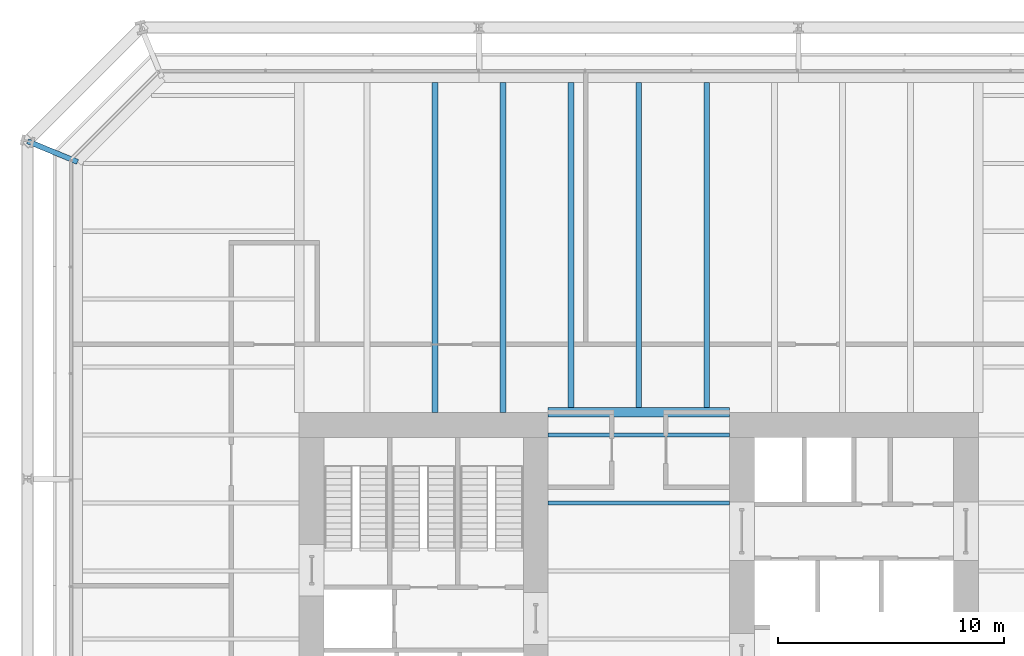
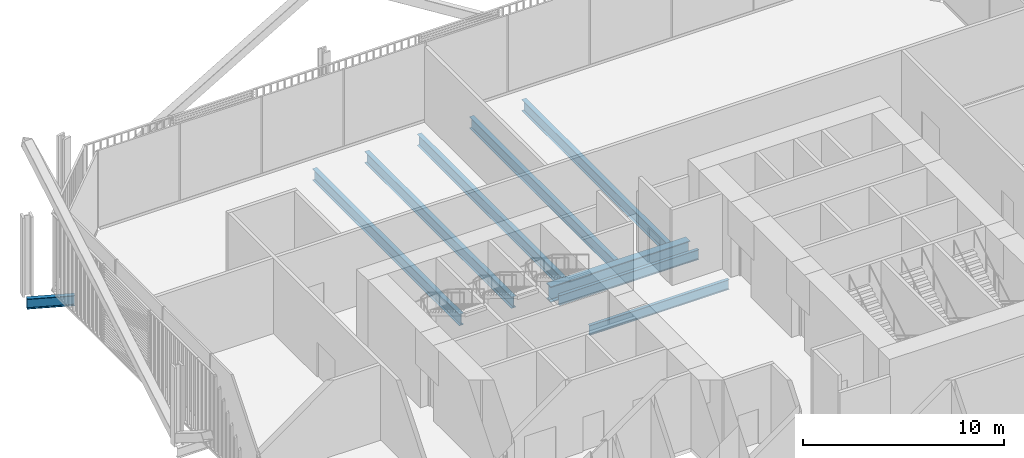
# One storey, part 13 of 22: 9 beams.
"""IFC4 building model written with IfcOpenShell, lengths in metres."""

from ifc_helpers import new_model, si_unit, direction, frame, origin, origin_2d, place, context, subcontext, project, spatial, i_section, extrude, material, material_profile, profile_set, type_object, element, save


model = new_model("IFC4")

# Units and contexts
model_context = context("Model", 3, precision=1e-05, world=origin(), true_north=direction((0.0, 1.0)))
body_context = subcontext(model_context, "Body", "Model", "MODEL_VIEW")
ifc_project = project(units=[si_unit("LENGTHUNIT", "METRE"), si_unit("AREAUNIT", "SQUARE_METRE"), si_unit("VOLUMEUNIT", "CUBIC_METRE"), si_unit("PLANEANGLEUNIT", "RADIAN"), si_unit("MASSUNIT", "GRAM", prefix="KILO")], contexts=[model_context])

# Site, building, storey
site_placement = place(None, origin())
site = spatial("IfcSite", under=ifc_project, at=site_placement, CompositionType="ELEMENT")
building_placement = place(site_placement, origin())
building = spatial("IfcBuilding", under=site, at=building_placement, Name="Millrace Tower", CompositionType="ELEMENT")
storey_placement = place(building_placement, frame((0.0, 0.0, 20.89990234375)))
storey = spatial("IfcBuildingStorey", under=building, at=storey_placement, Name="L05", CompositionType="ELEMENT", Elevation=20.89990234375)

# Beams
ifc_material_1 = material(Name="Steel ASTM A992 Grade 50", Category="steel")
ifc_material_profile_1 = material_profile(ifc_material_1, i_section(OverallWidth=0.177978515625, OverallDepth=0.599365234375, WebThickness=0.010009765625, FlangeThickness=0.012939453125, FilletRadius=0.012939453125, at=origin_2d()))
ifc_profile_set_1 = profile_set([ifc_material_profile_1], Name="Steel ASTM A992 Grade 50")
beam_type_1 = type_object("IfcBeamType", Name="Floor beam W24x55", PredefinedType="JOIST", material=ifc_profile_set_1)
for number, where, z_axis, x_axis, name in (
    (1, (-4.0, 6.0, -0.524658203125), (1.0, 0.0, 0.0), (0.0, 1.0, 0.0), "BM-A-L05-S1-S026"),
    (2, (-4.0, 9.0, -0.524658203125), (1.0, 0.0, 0.0), (0.0, 1.0, 0.0), "BM-A-L05-S1-S029"),
):
    element("IfcBeam", number, at=place(storey_placement, frame(where, z_axis=z_axis, x_axis=x_axis)), inside=storey, type_object=beam_type_1, Name=name, PredefinedType="JOIST", context=body_context, shape_type="SweptSolid", body=[
        extrude(i_section(OverallWidth=0.177978515625, OverallDepth=0.599365234375, WebThickness=0.010009765625, FlangeThickness=0.012939453125, FilletRadius=0.012939453125, at=origin_2d()), origin(), (0.0, 0.0, 1.0), 8.0),
    ])
ifc_material_2 = material(Name="Steel ASTM A992 Grade 50", Category="steel")
ifc_material_profile_2 = material_profile(ifc_material_2, i_section(OverallWidth=0.256591796875, OverallDepth=0.693359375, WebThickness=0.014404296875, FlangeThickness=0.023681640625, FilletRadius=0.01513671875, at=origin_2d()))
ifc_profile_set_2 = profile_set([ifc_material_profile_2], Name="Steel ASTM A992 Grade 50")
beam_type_2 = type_object("IfcBeamType", Name="Floor beam W27x114", PredefinedType="JOIST", material=ifc_profile_set_2)
for number, where, z_axis, x_axis, name in (
    (3, (-9.0, 10.0, -0.571533203125), (0.0, 1.0, 0.0), (-1.0, 0.0, 0.0), "BM-A-L05-S1-S044"),
    (4, (-6.0, 10.0, -0.571533203125), (0.0, 1.0, 0.0), (-1.0, 0.0, 0.0), "BM-A-L05-S1-S046"),
):
    element("IfcBeam", number, at=place(storey_placement, frame(where, z_axis=z_axis, x_axis=x_axis)), inside=storey, type_object=beam_type_2, Name=name, PredefinedType="JOIST", context=body_context, shape_type="SweptSolid", body=[
        extrude(i_section(OverallWidth=0.256591796875, OverallDepth=0.693359375, WebThickness=0.014404296875, FlangeThickness=0.023681640625, FilletRadius=0.01513671875, at=origin_2d()), origin(), (0.0, 0.0, 1.0), 14.578369140625),
    ])
for number, where, z_axis, x_axis, name in (
    (5, (-3.0, 10.212158203125, -0.571533203125), (0.0, 1.0, 0.0), (-1.0, 0.0, 0.0), "BM-A-L05-S1-S048"),
    (6, (0.0, 10.212158203125, -0.571533203125), (0.0, 1.0, 0.0), (-1.0, 0.0, 0.0), "BM-A-L05-S1-S050"),
    (7, (3.0, 10.212158203125, -0.571533203125), (0.0, 1.0, 0.0), (-1.0, 0.0, 0.0), "BM-A-L05-S1-S052"),
):
    element("IfcBeam", number, at=place(storey_placement, frame(where, z_axis=z_axis, x_axis=x_axis)), inside=storey, type_object=beam_type_2, Name=name, PredefinedType="JOIST", context=body_context, shape_type="SweptSolid", body=[
        extrude(i_section(OverallWidth=0.256591796875, OverallDepth=0.693359375, WebThickness=0.014404296875, FlangeThickness=0.023681640625, FilletRadius=0.01513671875, at=origin_2d()), origin(), (0.0, 0.0, 1.0), 14.3662109375),
    ])
ifc_material_3 = material(Name="Steel ASTM A992 Grade 50", Category="steel")
ifc_material_profile_3 = material_profile(ifc_material_3, i_section(OverallWidth=0.424072265625, OverallDepth=0.947509765625, WebThickness=0.02392578125, FlangeThickness=0.042724609375, FilletRadius=0.024169921875, at=origin_2d()))
ifc_profile_set_3 = profile_set([ifc_material_profile_3], Name="Steel ASTM A992 Grade 50")
beam_type_3 = type_object("IfcBeamType", Name="Girder short span W36x302", PredefinedType="BEAM", material=ifc_profile_set_3)
beam_1_placement = place(storey_placement, frame((-4.0, 10.0, -0.69873046875), z_axis=(1.0, 0.0, 0.0), x_axis=(0.0, 1.0, 0.0)))
element("IfcBeam", 8, at=beam_1_placement, inside=storey, type_object=beam_type_3, Name="BM-A-L05-S1-G064", PredefinedType="BEAM", context=body_context, shape_type="SweptSolid", body=[
    extrude(i_section(OverallWidth=0.424072265625, OverallDepth=0.947509765625, WebThickness=0.02392578125, FlangeThickness=0.042724609375, FilletRadius=0.024169921875, at=origin_2d()), origin(), (0.0, 0.0, 1.0), 8.0),
])
ifc_material_4 = material(Name="Steel ASTM A992 Grade 50", Category="steel")
ifc_material_profile_4 = material_profile(ifc_material_4, i_section(OverallWidth=0.23046875, OverallDepth=0.6171875, WebThickness=0.01318359375, FlangeThickness=0.022216796875, FilletRadius=0.012939453125, at=origin_2d()))
ifc_profile_set_4 = profile_set([ifc_material_profile_4], Name="Steel ASTM A992 Grade 50")
beam_type_4 = type_object("IfcBeamType", Name="Link beam W24x94", PredefinedType="BEAM", material=ifc_profile_set_4)
beam_2_placement = place(storey_placement, frame((-24.7890625, 21.062744140625, -0.533447265625), z_axis=(-0.923883789366, 0.382673155247, 0.0), x_axis=(-0.382673155247, -0.923883789366, 0.0)))
element("IfcBeam", 9, at=beam_2_placement, inside=storey, type_object=beam_type_4, Name="LNK-A-L05-S1-04", PredefinedType="BEAM", context=body_context, shape_type="SweptSolid", body=[
    extrude(i_section(OverallWidth=0.23046875, OverallDepth=0.6171875, WebThickness=0.01318359375, FlangeThickness=0.022216796875, FilletRadius=0.012939453125, at=origin_2d()), origin(), (0.0, 0.0, 1.0), 2.39306640625),
])

save(model, "model.ifc")
